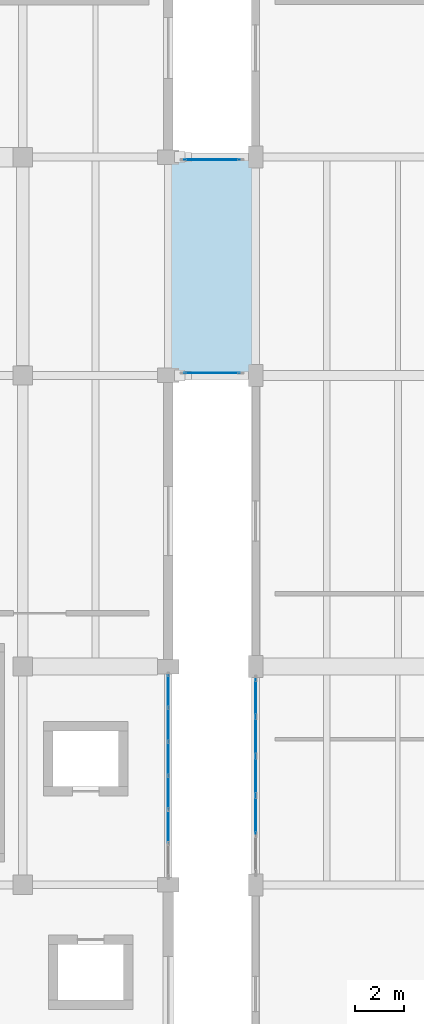
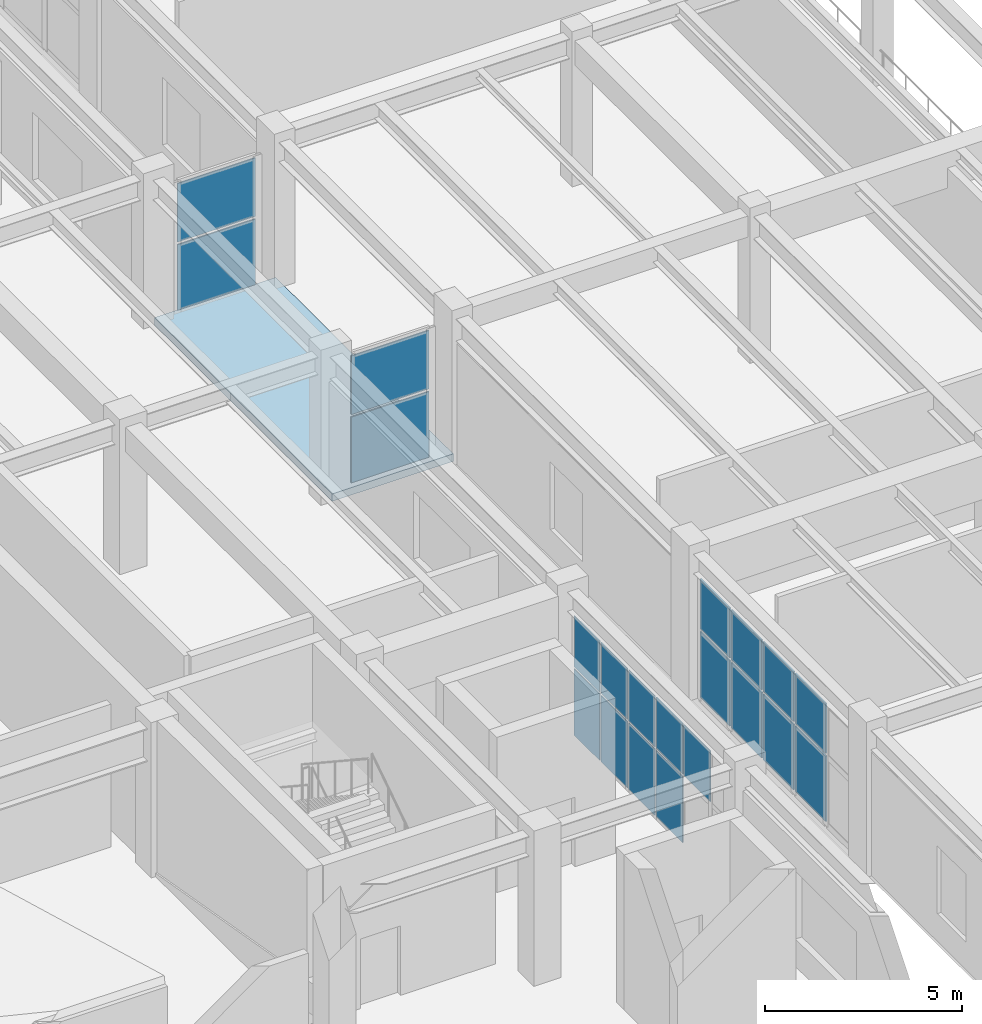
# One storey, part 63 of 96: 21 plates, 1 slab, 4 elements without a shape of their own.
"""IFC4 building model written with IfcOpenShell, lengths in metres."""

from ifc_helpers import new_model, si_unit, direction, frame, origin, origin_2d, place, context, subcontext, project, spatial, polyline, rectangle, outline, extrude, material, layer, layer_set, type_object, element, aggregate, save


model = new_model("IFC4")

# Units and contexts
model_context = context("Model", 3, precision=1e-05, world=origin(), true_north=direction((0.0, 1.0)))
body_context = subcontext(model_context, "Body", "Model", "MODEL_VIEW")
ifc_project = project(units=[si_unit("LENGTHUNIT", "METRE"), si_unit("AREAUNIT", "SQUARE_METRE"), si_unit("VOLUMEUNIT", "CUBIC_METRE"), si_unit("PLANEANGLEUNIT", "RADIAN"), si_unit("MASSUNIT", "GRAM", prefix="KILO")], contexts=[model_context])

# Site, building, storey
site_placement = place(None, origin())
site = spatial("IfcSite", under=ifc_project, at=site_placement, CompositionType="ELEMENT")
building_placement = place(site_placement, origin())
building = spatial("IfcBuilding", under=site, at=building_placement, Name="Vaelkrest Opera House", CompositionType="ELEMENT")
storey_placement = place(building_placement, frame((0.0, 0.0, 5.39990234375)))
storey = spatial("IfcBuildingStorey", under=building, at=storey_placement, Name="L01", CompositionType="ELEMENT", Elevation=5.39990234375)

# Curtain wall, plates
ifc_material_1 = material(Name="Dark bronze anodized aluminium", Category="aluminium")
ifc_layer_1 = layer(ifc_material_1, 0.179931640625)
ifc_layer_set_1 = layer_set([ifc_layer_1], Name="Dark bronze anodized aluminium")
curtain_wall_type_1 = type_object("IfcCurtainWallType", Name="CW01", PredefinedType="NOTDEFINED", material=ifc_layer_set_1)
curtain_wall_1_placement = place(storey_placement, origin())
curtain_wall_1 = element("IfcCurtainWall", 1, at=curtain_wall_1_placement, inside=storey, type_object=curtain_wall_type_1, Name="Curtain wall CW-L01-029", PredefinedType="NOTDEFINED")
ifc_material_2 = material(Name="Double low-E insulated glazing", Category="glass")
ifc_layer_2 = layer(ifc_material_2, 0.02587890625)
ifc_layer_set_2 = layer_set([ifc_layer_2], Name="Double low-E insulated glazing")
plate_type_1 = type_object("IfcPlateType", Name="CWP01", PredefinedType="CURTAIN_PANEL", material=ifc_layer_set_2)
plate_1_placement = place(storey_placement, frame((30.0, -20.814697265625, 0.06494140625), z_axis=(0.0, 0.0, 1.0), x_axis=(0.0, -1.0, 0.0)))
plate_1 = element("IfcPlate", 2, at=plate_1_placement, type_object=plate_type_1, Name="CW01 panel 1.1", PredefinedType="CURTAIN_PANEL", context=body_context, shape_type="SweptSolid", body=[
    extrude(rectangle(XDim=1.30322265625, YDim=0.02587890625, at=origin_2d()), origin(), (0.0, 0.0, 1.0), 2.052490234375),
])
plate_2_placement = place(storey_placement, frame((30.0, -20.814697265625, 2.1826171875), z_axis=(0.0, 0.0, 1.0), x_axis=(0.0, -1.0, 0.0)))
plate_2 = element("IfcPlate", 3, at=plate_2_placement, type_object=plate_type_1, Name="CW01 panel 1.2", PredefinedType="CURTAIN_PANEL", context=body_context, shape_type="SweptSolid", body=[
    extrude(rectangle(XDim=1.30322265625, YDim=0.02587890625, at=origin_2d()), origin(), (0.0, 0.0, 1.0), 1.576416015625),
])
plate_3_placement = place(storey_placement, frame((30.0, -22.198974609375, 0.06494140625), z_axis=(0.0, 0.0, 1.0), x_axis=(0.0, -1.0, 0.0)))
plate_3 = element("IfcPlate", 4, at=plate_3_placement, type_object=plate_type_1, Name="CW01 panel 2.1", PredefinedType="CURTAIN_PANEL", context=body_context, shape_type="SweptSolid", body=[
    extrude(rectangle(XDim=1.335693359375, YDim=0.02587890625, at=origin_2d()), origin(), (0.0, 0.0, 1.0), 2.052490234375),
])
plate_4_placement = place(storey_placement, frame((30.0, -22.198974609375, 2.1826171875), z_axis=(0.0, 0.0, 1.0), x_axis=(0.0, -1.0, 0.0)))
plate_4 = element("IfcPlate", 5, at=plate_4_placement, type_object=plate_type_1, Name="CW01 panel 2.2", PredefinedType="CURTAIN_PANEL", context=body_context, shape_type="SweptSolid", body=[
    extrude(rectangle(XDim=1.335693359375, YDim=0.02587890625, at=origin_2d()), origin(), (0.0, 0.0, 1.0), 1.576416015625),
])
plate_5_placement = place(storey_placement, frame((30.0, -23.599609375, 0.06494140625), z_axis=(0.0, 0.0, 1.0), x_axis=(0.0, -1.0, 0.0)))
plate_5 = element("IfcPlate", 6, at=plate_5_placement, type_object=plate_type_1, Name="CW01 panel 3.1", PredefinedType="CURTAIN_PANEL", context=body_context, shape_type="SweptSolid", body=[
    extrude(rectangle(XDim=1.335693359375, YDim=0.02587890625, at=origin_2d()), origin(), (0.0, 0.0, 1.0), 2.052490234375),
])
plate_6_placement = place(storey_placement, frame((30.0, -23.599609375, 2.1826171875), z_axis=(0.0, 0.0, 1.0), x_axis=(0.0, -1.0, 0.0)))
plate_6 = element("IfcPlate", 7, at=plate_6_placement, type_object=plate_type_1, Name="CW01 panel 3.2", PredefinedType="CURTAIN_PANEL", context=body_context, shape_type="SweptSolid", body=[
    extrude(rectangle(XDim=1.335693359375, YDim=0.02587890625, at=origin_2d()), origin(), (0.0, 0.0, 1.0), 1.576416015625),
])
plate_7_placement = place(storey_placement, frame((30.0, -25.000244140625, 0.06494140625), z_axis=(0.0, 0.0, 1.0), x_axis=(0.0, -1.0, 0.0)))
plate_7 = element("IfcPlate", 8, at=plate_7_placement, type_object=plate_type_1, Name="CW01 panel 4.1", PredefinedType="CURTAIN_PANEL", context=body_context, shape_type="SweptSolid", body=[
    extrude(rectangle(XDim=1.335693359375, YDim=0.02587890625, at=origin_2d()), origin(), (0.0, 0.0, 1.0), 2.052490234375),
])
plate_8_placement = place(storey_placement, frame((30.0, -25.000244140625, 2.1826171875), z_axis=(0.0, 0.0, 1.0), x_axis=(0.0, -1.0, 0.0)))
plate_8 = element("IfcPlate", 9, at=plate_8_placement, type_object=plate_type_1, Name="CW01 panel 4.2", PredefinedType="CURTAIN_PANEL", context=body_context, shape_type="SweptSolid", body=[
    extrude(rectangle(XDim=1.335693359375, YDim=0.02587890625, at=origin_2d()), origin(), (0.0, 0.0, 1.0), 1.576416015625),
])
plate_9_placement = place(storey_placement, frame((30.0, -26.40087890625, 2.1826171875), z_axis=(0.0, 0.0, 1.0), x_axis=(0.0, -1.0, 0.0)))
plate_9 = element("IfcPlate", 10, at=plate_9_placement, type_object=plate_type_1, Name="CW01 panel 5.2", PredefinedType="CURTAIN_PANEL", context=body_context, shape_type="SweptSolid", body=[
    extrude(rectangle(XDim=1.335693359375, YDim=0.02587890625, at=origin_2d()), origin(), (0.0, 0.0, 1.0), 1.576416015625),
])
aggregate(curtain_wall_1, [plate_1, plate_2, plate_3, plate_4, plate_5, plate_6, plate_7, plate_8, plate_9])

ifc_layer_3 = layer(ifc_material_1, 0.2099609375)
ifc_layer_set_3 = layer_set([ifc_layer_3], Name="Dark bronze anodized aluminium")
curtain_wall_type_2 = type_object("IfcCurtainWallType", Name="CW04", PredefinedType="NOTDEFINED", material=ifc_layer_set_3)
curtain_wall_2_placement = place(storey_placement, origin())
curtain_wall_2 = element("IfcCurtainWall", 11, at=curtain_wall_2_placement, inside=storey, type_object=curtain_wall_type_2, Name="Curtain wall CW-L01-154", PredefinedType="NOTDEFINED")
ifc_layer_4 = layer(ifc_material_2, 0.0380859375)
ifc_layer_set_4 = layer_set([ifc_layer_4], Name="Double low-E insulated glazing")
plate_type_2 = type_object("IfcPlateType", Name="CWP04", PredefinedType="CURTAIN_PANEL", material=ifc_layer_set_4)
plate_10_placement = place(storey_placement, frame((33.60009765625, -25.9208984375, 0.080078125), z_axis=(0.0, 0.0, 1.0), x_axis=(0.0, 1.0, 0.0)))
plate_10 = element("IfcPlate", 12, at=plate_10_placement, type_object=plate_type_2, Name="CW04 panel 2.1", PredefinedType="CURTAIN_PANEL", context=body_context, shape_type="SweptSolid", body=[
    extrude(rectangle(XDim=1.540771484375, YDim=0.0380859375, at=origin_2d()), origin(), (0.0, 0.0, 1.0), 2.030029296875),
])
plate_11_placement = place(storey_placement, frame((33.60009765625, -25.9208984375, 2.18994140625), z_axis=(0.0, 0.0, 1.0), x_axis=(0.0, 1.0, 0.0)))
plate_11 = element("IfcPlate", 13, at=plate_11_placement, type_object=plate_type_2, Name="CW04 panel 2.2", PredefinedType="CURTAIN_PANEL", context=body_context, shape_type="SweptSolid", body=[
    extrude(rectangle(XDim=1.540771484375, YDim=0.0380859375, at=origin_2d()), origin(), (0.0, 0.0, 1.0), 1.553955078125),
])
plate_12_placement = place(storey_placement, frame((33.60009765625, -24.300048828125, 0.080078125), z_axis=(0.0, 0.0, 1.0), x_axis=(0.0, 1.0, 0.0)))
plate_12 = element("IfcPlate", 14, at=plate_12_placement, type_object=plate_type_2, Name="CW04 panel 3.1", PredefinedType="CURTAIN_PANEL", context=body_context, shape_type="SweptSolid", body=[
    extrude(rectangle(XDim=1.540771484375, YDim=0.0380859375, at=origin_2d()), origin(), (0.0, 0.0, 1.0), 2.030029296875),
])
plate_13_placement = place(storey_placement, frame((33.60009765625, -24.300048828125, 2.18994140625), z_axis=(0.0, 0.0, 1.0), x_axis=(0.0, 1.0, 0.0)))
plate_13 = element("IfcPlate", 15, at=plate_13_placement, type_object=plate_type_2, Name="CW04 panel 3.2", PredefinedType="CURTAIN_PANEL", context=body_context, shape_type="SweptSolid", body=[
    extrude(rectangle(XDim=1.540771484375, YDim=0.0380859375, at=origin_2d()), origin(), (0.0, 0.0, 1.0), 1.553955078125),
])
plate_14_placement = place(storey_placement, frame((33.60009765625, -22.67919921875, 0.080078125), z_axis=(0.0, 0.0, 1.0), x_axis=(0.0, 1.0, 0.0)))
plate_14 = element("IfcPlate", 16, at=plate_14_placement, type_object=plate_type_2, Name="CW04 panel 4.1", PredefinedType="CURTAIN_PANEL", context=body_context, shape_type="SweptSolid", body=[
    extrude(rectangle(XDim=1.540771484375, YDim=0.0380859375, at=origin_2d()), origin(), (0.0, 0.0, 1.0), 2.030029296875),
])
plate_15_placement = place(storey_placement, frame((33.60009765625, -22.67919921875, 2.18994140625), z_axis=(0.0, 0.0, 1.0), x_axis=(0.0, 1.0, 0.0)))
plate_15 = element("IfcPlate", 17, at=plate_15_placement, type_object=plate_type_2, Name="CW04 panel 4.2", PredefinedType="CURTAIN_PANEL", context=body_context, shape_type="SweptSolid", body=[
    extrude(rectangle(XDim=1.540771484375, YDim=0.0380859375, at=origin_2d()), origin(), (0.0, 0.0, 1.0), 1.553955078125),
])
plate_16_placement = place(storey_placement, frame((33.60009765625, -21.078369140625, 0.080078125), z_axis=(0.0, 0.0, 1.0), x_axis=(0.0, 1.0, 0.0)))
plate_16 = element("IfcPlate", 18, at=plate_16_placement, type_object=plate_type_2, Name="CW04 panel 5.1", PredefinedType="CURTAIN_PANEL", context=body_context, shape_type="SweptSolid", body=[
    extrude(rectangle(XDim=1.500732421875, YDim=0.0380859375, at=origin_2d()), origin(), (0.0, 0.0, 1.0), 2.030029296875),
])
plate_17_placement = place(storey_placement, frame((33.60009765625, -21.078369140625, 2.18994140625), z_axis=(0.0, 0.0, 1.0), x_axis=(0.0, 1.0, 0.0)))
plate_17 = element("IfcPlate", 19, at=plate_17_placement, type_object=plate_type_2, Name="CW04 panel 5.2", PredefinedType="CURTAIN_PANEL", context=body_context, shape_type="SweptSolid", body=[
    extrude(rectangle(XDim=1.500732421875, YDim=0.0380859375, at=origin_2d()), origin(), (0.0, 0.0, 1.0), 1.553955078125),
])
aggregate(curtain_wall_2, [plate_10, plate_11, plate_12, plate_13, plate_14, plate_15, plate_16, plate_17])

curtain_wall_3_placement = place(storey_placement, origin())
curtain_wall_3 = element("IfcCurtainWall", 20, at=curtain_wall_3_placement, inside=storey, type_object=curtain_wall_type_2, Name="Curtain wall CW-L01-180", PredefinedType="NOTDEFINED")
plate_18_placement = place(storey_placement, frame((31.800048828125, -7.699951171875, 0.080078125), z_axis=(0.0, 0.0, 1.0), x_axis=(-1.0, 0.0, 0.0)))
plate_18 = element("IfcPlate", 21, at=plate_18_placement, type_object=plate_type_2, Name="CW04 panel 1.1", PredefinedType="CURTAIN_PANEL", context=body_context, shape_type="SweptSolid", body=[
    extrude(rectangle(XDim=2.280029296875, YDim=0.0380859375, at=origin_2d()), origin(), (0.0, 0.0, 1.0), 2.030029296875),
])
plate_19_placement = place(storey_placement, frame((31.800048828125, -7.699951171875, 2.190185546875), z_axis=(0.0, 0.0, 1.0), x_axis=(-1.0, 0.0, 0.0)))
plate_19 = element("IfcPlate", 22, at=plate_19_placement, type_object=plate_type_2, Name="CW04 panel 1.2", PredefinedType="CURTAIN_PANEL", context=body_context, shape_type="SweptSolid", body=[
    extrude(rectangle(XDim=2.280029296875, YDim=0.0380859375, at=origin_2d()), origin(), (0.0, 0.0, 1.0), 1.81005859375),
])
aggregate(curtain_wall_3, [plate_18, plate_19])

curtain_wall_4_placement = place(storey_placement, origin())
curtain_wall_4 = element("IfcCurtainWall", 23, at=curtain_wall_4_placement, inside=storey, type_object=curtain_wall_type_2, Name="Curtain wall CW-L01-181", PredefinedType="NOTDEFINED")
plate_20_placement = place(storey_placement, frame((31.800048828125, 1.10009765625, 0.080078125), z_axis=(0.0, 0.0, 1.0), x_axis=(1.0, 0.0, 0.0)))
plate_20 = element("IfcPlate", 24, at=plate_20_placement, type_object=plate_type_2, Name="CW04 panel 1.1", PredefinedType="CURTAIN_PANEL", context=body_context, shape_type="SweptSolid", body=[
    extrude(rectangle(XDim=2.280029296875, YDim=0.0380859375, at=origin_2d()), origin(), (0.0, 0.0, 1.0), 2.030029296875),
])
plate_21_placement = place(storey_placement, frame((31.800048828125, 1.10009765625, 2.190185546875), z_axis=(0.0, 0.0, 1.0), x_axis=(1.0, 0.0, 0.0)))
plate_21 = element("IfcPlate", 25, at=plate_21_placement, type_object=plate_type_2, Name="CW04 panel 1.2", PredefinedType="CURTAIN_PANEL", context=body_context, shape_type="SweptSolid", body=[
    extrude(rectangle(XDim=2.280029296875, YDim=0.0380859375, at=origin_2d()), origin(), (0.0, 0.0, 1.0), 1.81005859375),
])
aggregate(curtain_wall_4, [plate_20, plate_21])

# Slab
ifc_material_3 = material(Name="Concrete C40/50", Category="concrete")
ifc_layer_5 = layer(ifc_material_3, 0.22998046875)
ifc_layer_set_5 = layer_set([ifc_layer_5], Name="Concrete C40/50")
slab_type = type_object("IfcSlabType", Name="FS08", PredefinedType="FLOOR", material=ifc_layer_set_5)
slab_placement = place(storey_placement, frame((0.0, 0.0, -0.22998046875)))
element("IfcSlab", 26, at=slab_placement, inside=storey, type_object=slab_type, Name="Seismic link bridge floor BR-E-L01", PredefinedType="FLOOR", context=body_context, shape_type="SweptSolid", body=[
    extrude(outline(polyline([(30.050048828125, -7.800048828125), (33.60009765625, -7.800048828125), (33.60009765625, 1.199951171875), (30.050048828125, 1.199951171875), (30.050048828125, -7.800048828125)])), origin(), (0.0, 0.0, 1.0), 0.22998046875),
])

save(model, "model.ifc")
